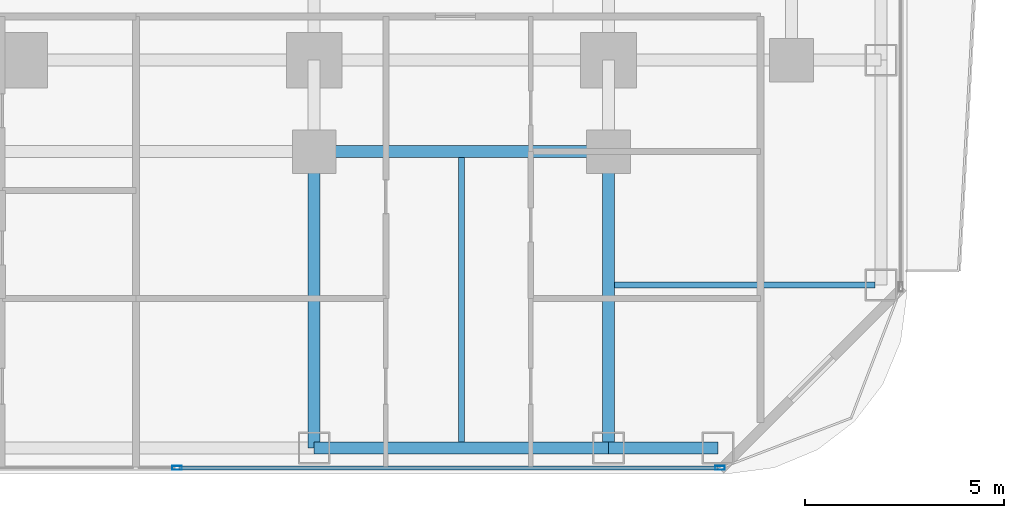
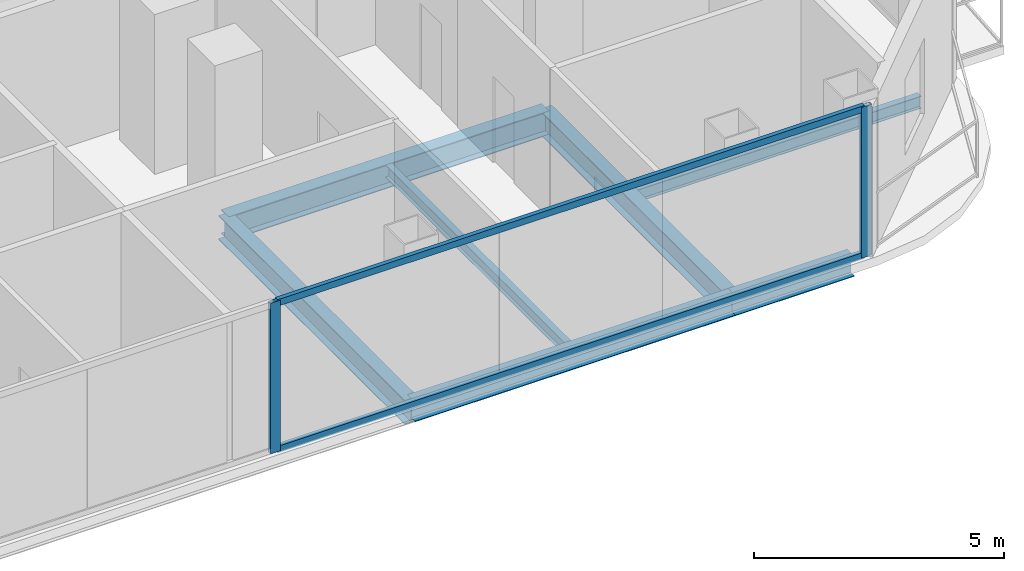
# One storey, part 8 of 29: 7 beams, 4 members, 1 element without a shape of its own.
"""IFC4 building model written with IfcOpenShell, lengths in metres."""

from ifc_helpers import new_model, si_unit, direction, frame, origin, origin_2d, place, context, subcontext, project, spatial, hollow_rectangle, i_section, extrude, material, layer, layer_set, material_profile, profile_set, type_object, element, aggregate, save


model = new_model("IFC4")

# Units and contexts
model_context = context("Model", 3, precision=1e-05, world=origin(), true_north=direction((0.0, 1.0)))
body_context = subcontext(model_context, "Body", "Model", "MODEL_VIEW")
ifc_project = project(units=[si_unit("LENGTHUNIT", "METRE"), si_unit("AREAUNIT", "SQUARE_METRE"), si_unit("VOLUMEUNIT", "CUBIC_METRE"), si_unit("PLANEANGLEUNIT", "RADIAN"), si_unit("MASSUNIT", "GRAM", prefix="KILO")], contexts=[model_context])

# Site, building, storey
site_placement = place(None, origin())
site = spatial("IfcSite", under=ifc_project, at=site_placement, CompositionType="ELEMENT")
building_placement = place(site_placement, origin())
building = spatial("IfcBuilding", under=site, at=building_placement, Name="Khorvyn Point Tower", CompositionType="ELEMENT")
storey_placement = place(building_placement, frame((0.0, 0.0, 69.60009765625)))
storey = spatial("IfcBuildingStorey", under=building, at=storey_placement, Name="L18", CompositionType="ELEMENT", Elevation=69.60009765625)

# Curtain wall, members
ifc_material_1 = material(Name="Anodised aluminium 6063-T6 and laminated Low-E glass", Category="aluminium")
ifc_layer = layer(ifc_material_1, 0.18994140625)
ifc_layer_set = layer_set([ifc_layer], Name="Stick-Built Finned Residential Curtain Wall CW-SYS-02")
curtain_wall_type = type_object("IfcCurtainWallType", Name="Stick-Built Finned Residential Curtain Wall CW-SYS-02", PredefinedType="NOTDEFINED", material=ifc_layer_set)
curtain_wall_placement = place(storey_placement, origin())
curtain_wall = element("IfcCurtainWall", 1, at=curtain_wall_placement, inside=storey, type_object=curtain_wall_type, Name="Curtain Wall", PredefinedType="NOTDEFINED")
ifc_material_2 = material(Name="Anodised aluminium 6063-T6", Category="aluminium")
ifc_material_profile_1 = material_profile(ifc_material_2, hollow_rectangle(XDim=0.10009765625, YDim=0.239990234375, WallThickness=0.0048828125, at=origin_2d()))
ifc_profile_set_1 = profile_set([ifc_material_profile_1], Name="Anodised aluminium 6063-T6 ALU-MUL-100x240")
member_type_1 = type_object("IfcMemberType", Name="Anodised Aluminium 6063-T6 Mullion ALU-MUL-100x240", PredefinedType="MULLION", material=ifc_profile_set_1)
member_1_placement = place(storey_placement, frame((17.60009765625, -25.050048828125, 0.0), z_axis=(0.0, 0.0, 1.0), x_axis=(0.0, -1.0, 0.0)))
member_1 = element("IfcMember", 2, at=member_1_placement, type_object=member_type_1, Name="Transom", PredefinedType="MULLION", context=body_context, shape_type="SweptSolid", body=[
    extrude(hollow_rectangle(XDim=0.10009765625, YDim=0.239990234375, WallThickness=0.0048828125, at=origin_2d()), origin(), (0.0, 0.0, 1.0), 3.679931640625),
])
member_2_placement = place(storey_placement, frame((3.949951171875, -25.050048828125, 0.0), z_axis=(0.0, 0.0, 1.0), x_axis=(0.0, -1.0, 0.0)))
member_2 = element("IfcMember", 3, at=member_2_placement, type_object=member_type_1, Name="Transom", PredefinedType="MULLION", context=body_context, shape_type="SweptSolid", body=[
    extrude(hollow_rectangle(XDim=0.10009765625, YDim=0.239990234375, WallThickness=0.0048828125, at=origin_2d()), origin(), (0.0, 0.0, 1.0), 3.679931640625),
])
ifc_material_profile_2 = material_profile(ifc_material_2, hollow_rectangle(XDim=0.10009765625, YDim=0.159912109375, WallThickness=0.00439453125, at=origin_2d()))
ifc_profile_set_2 = profile_set([ifc_material_profile_2], Name="Anodised aluminium 6063-T6 ALU-TRN-100x160")
member_type_2 = type_object("IfcMemberType", Name="Anodised Aluminium 6063-T6 Transom ALU-TRN-100x160", PredefinedType="USERDEFINED", material=ifc_profile_set_2)
member_3_placement = place(storey_placement, frame((17.550048828125, -25.050048828125, 0.0498046875), z_axis=(-1.0, 0.0, 0.0), x_axis=(0.0, -1.0, 0.0)))
member_3 = element("IfcMember", 4, at=member_3_placement, type_object=member_type_2, Name="Transom", ObjectType="TRANSOM", PredefinedType="USERDEFINED", context=body_context, shape_type="SweptSolid", body=[
    extrude(hollow_rectangle(XDim=0.10009765625, YDim=0.159912109375, WallThickness=0.00439453125, at=origin_2d()), origin(), (0.0, 0.0, 1.0), 13.550048828125),
])
member_4_placement = place(storey_placement, frame((17.550048828125, -25.050048828125, 3.6298828125), z_axis=(-1.0, 0.0, 0.0), x_axis=(0.0, -1.0, 0.0)))
member_4 = element("IfcMember", 5, at=member_4_placement, type_object=member_type_2, Name="Transom", ObjectType="TRANSOM", PredefinedType="USERDEFINED", context=body_context, shape_type="SweptSolid", body=[
    extrude(hollow_rectangle(XDim=0.10009765625, YDim=0.159912109375, WallThickness=0.00439453125, at=origin_2d()), origin(), (0.0, 0.0, 1.0), 13.550048828125),
])
aggregate(curtain_wall, [member_1, member_2, member_3, member_4])

# Beams
ifc_material_3 = material(Name="Steel S355", Category="steel")
ifc_material_profile_3 = material_profile(ifc_material_3, i_section(OverallWidth=0.300048828125, OverallDepth=0.587890625, WebThickness=0.011962890625, FlangeThickness=0.02001953125, at=origin_2d()))
ifc_profile_set_3 = profile_set([ifc_material_profile_3], Name="Steel S355 H588x300x12x20")
beam_type_1 = type_object("IfcBeamType", Name="Steel S355 Beam H588x300x12x20", PredefinedType="BEAM", material=ifc_profile_set_3)
beam_1_placement = place(storey_placement, frame((7.39990234375, -17.10009765625, -0.51416015625), z_axis=(1.0, 0.0, 0.0), x_axis=(0.0, 1.0, 0.0)))
element("IfcBeam", 6, at=beam_1_placement, inside=storey, type_object=beam_type_1, Name="Beam", PredefinedType="BEAM", context=body_context, shape_type="SweptSolid", body=[
    extrude(i_section(OverallWidth=0.300048828125, OverallDepth=0.587890625, WebThickness=0.011962890625, FlangeThickness=0.02001953125, at=origin_2d()), origin(), (0.0, 0.0, 1.0), 7.400146484375),
])
for number, where, z_axis, x_axis, name in (
    (7, (14.800048828125, -24.550048828125, -0.51416015625), (0.0, 1.0, 0.0), (-1.0, 0.0, 0.0), "Beam"),
    (8, (7.39990234375, -24.550048828125, -0.51416015625), (0.0, 1.0, 0.0), (-1.0, 0.0, 0.0), "Beam"),
):
    element("IfcBeam", number, at=place(storey_placement, frame(where, z_axis=z_axis, x_axis=x_axis)), inside=storey, type_object=beam_type_1, Name=name, PredefinedType="BEAM", context=body_context, shape_type="SweptSolid", body=[
        extrude(i_section(OverallWidth=0.300048828125, OverallDepth=0.587890625, WebThickness=0.011962890625, FlangeThickness=0.02001953125, at=origin_2d()), origin(), (0.0, 0.0, 1.0), 7.449951171875),
    ])
ifc_material_profile_4 = material_profile(ifc_material_3, i_section(OverallWidth=0.14990234375, OverallDepth=0.300048828125, WebThickness=0.006591796875, FlangeThickness=0.009033203125, at=origin_2d()))
ifc_profile_set_4 = profile_set([ifc_material_profile_4], Name="Steel S355 H300x150x6.5x9")
beam_type_2 = type_object("IfcBeamType", Name="Steel S355 Joist H300x150x6.5x9", PredefinedType="JOIST", material=ifc_profile_set_4)
beam_2_placement = place(storey_placement, frame((11.10009765625, -24.39990234375, -0.3701171875), z_axis=(0.0, 1.0, 0.0), x_axis=(-1.0, 0.0, 0.0)))
element("IfcBeam", 9, at=beam_2_placement, inside=storey, type_object=beam_type_2, Name="Beam", PredefinedType="JOIST", context=body_context, shape_type="SweptSolid", body=[
    extrude(i_section(OverallWidth=0.14990234375, OverallDepth=0.300048828125, WebThickness=0.006591796875, FlangeThickness=0.009033203125, at=origin_2d()), origin(), (0.0, 0.0, 1.0), 7.14990234375),
])
beam_3_placement = place(storey_placement, frame((14.949951171875, -20.449951171875, -0.3701171875), z_axis=(1.0, 0.0, 0.0), x_axis=(0.0, 1.0, 0.0)))
element("IfcBeam", 10, at=beam_3_placement, inside=storey, type_object=beam_type_2, Name="Beam", PredefinedType="JOIST", context=body_context, shape_type="SweptSolid", body=[
    extrude(i_section(OverallWidth=0.14990234375, OverallDepth=0.300048828125, WebThickness=0.006591796875, FlangeThickness=0.009033203125, at=origin_2d()), origin(), (0.0, 0.0, 1.0), 6.550048828125),
])
ifc_material_profile_5 = material_profile(ifc_material_3, i_section(OverallWidth=0.300048828125, OverallDepth=0.488037109375, WebThickness=0.010986328125, FlangeThickness=0.01806640625, at=origin_2d()))
ifc_profile_set_5 = profile_set([ifc_material_profile_5], Name="Steel S355 H488x300x11x18")
beam_type_3 = type_object("IfcBeamType", Name="Steel S355 Spandrel H488x300x11x18", PredefinedType="SPANDREL", material=ifc_profile_set_5)
beam_4_placement = place(storey_placement, frame((7.39990234375, -24.550048828125, -0.464111328125), z_axis=(1.0, 0.0, 0.0), x_axis=(0.0, 1.0, 0.0)))
element("IfcBeam", 11, at=beam_4_placement, inside=storey, type_object=beam_type_3, Name="Beam", PredefinedType="SPANDREL", context=body_context, shape_type="SweptSolid", body=[
    extrude(i_section(OverallWidth=0.300048828125, OverallDepth=0.488037109375, WebThickness=0.010986328125, FlangeThickness=0.01806640625, at=origin_2d()), origin(), (0.0, 0.0, 1.0), 7.400146484375),
])
beam_5_placement = place(storey_placement, frame((14.800048828125, -24.550048828125, -0.464111328125), z_axis=(1.0, 0.0, 0.0), x_axis=(0.0, 1.0, 0.0)))
element("IfcBeam", 12, at=beam_5_placement, inside=storey, type_object=beam_type_3, Name="Beam", PredefinedType="SPANDREL", context=body_context, shape_type="SweptSolid", body=[
    extrude(i_section(OverallWidth=0.300048828125, OverallDepth=0.488037109375, WebThickness=0.010986328125, FlangeThickness=0.01806640625, at=origin_2d()), origin(), (0.0, 0.0, 1.0), 2.75),
])

save(model, "model.ifc")
